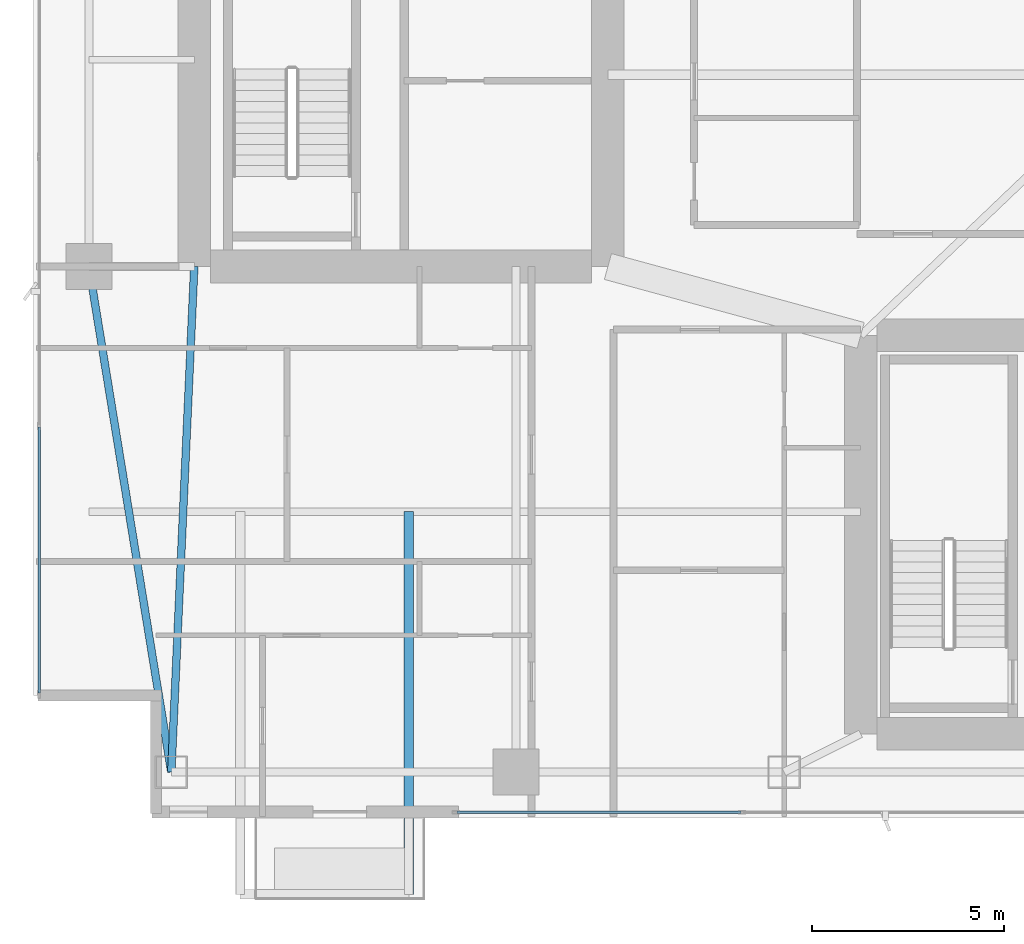
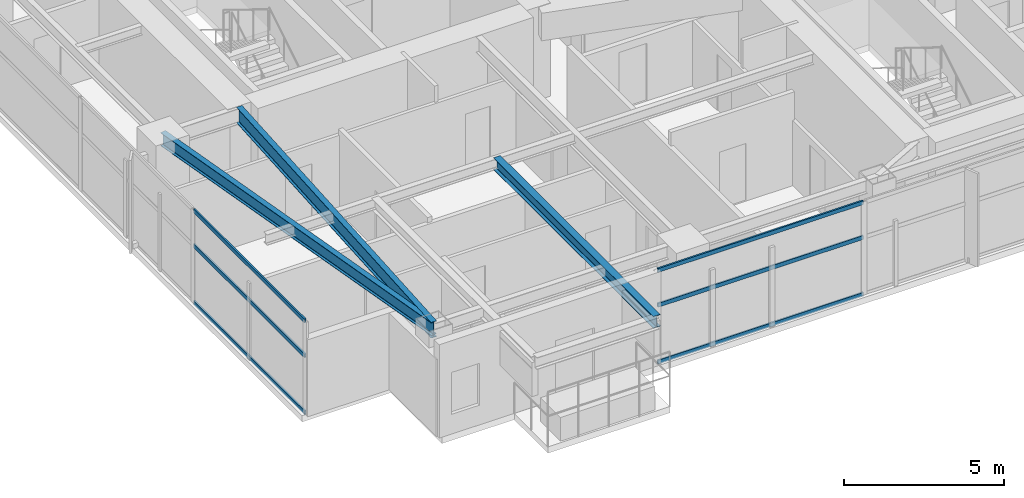
# One storey, part 3 of 28: 6 members, 3 beams, 2 elements without a shape of their own.
"""IFC4 building model written with IfcOpenShell, lengths in metres."""

from ifc_helpers import new_model, si_unit, direction, frame, origin, origin_2d, place, context, subcontext, project, spatial, hollow_rectangle, i_section, extrude, material, layer, layer_set, material_profile, profile_set, type_object, element, aggregate, save


model = new_model("IFC4")

# Units and contexts
model_context = context("Model", 3, precision=1e-05, world=origin(), true_north=direction((0.0, 1.0)))
body_context = subcontext(model_context, "Body", "Model", "MODEL_VIEW")
ifc_project = project(units=[si_unit("LENGTHUNIT", "METRE"), si_unit("AREAUNIT", "SQUARE_METRE"), si_unit("VOLUMEUNIT", "CUBIC_METRE"), si_unit("PLANEANGLEUNIT", "RADIAN"), si_unit("MASSUNIT", "GRAM", prefix="KILO")], contexts=[model_context])

# Site, building, storey
site_placement = place(None, origin())
site = spatial("IfcSite", under=ifc_project, at=site_placement, CompositionType="ELEMENT")
building_placement = place(site_placement, origin())
building = spatial("IfcBuilding", under=site, at=building_placement, Name="Calvorn Quay Hotel", CompositionType="ELEMENT")
storey_placement = place(building_placement, frame((0.0, 0.0, 156.10009765625)))
storey = spatial("IfcBuildingStorey", under=building, at=storey_placement, Name="L38", CompositionType="ELEMENT", Elevation=156.10009765625)

# Beams
ifc_material_1 = material(Name="Steel Q355B", Category="steel")
ifc_material_profile_1 = material_profile(ifc_material_1, i_section(OverallWidth=0.25, OverallDepth=0.449951171875, WebThickness=0.011962890625, FlangeThickness=0.01611328125, FilletRadius=0.01611328125, at=origin_2d()), Name="HN450x250x12x16")
ifc_profile_set_1 = profile_set([ifc_material_profile_1], Name="Steel Q355B")
beam_type_1 = type_object("IfcBeamType", Name="BM-CANT-BALC", PredefinedType="BEAM", material=ifc_profile_set_1)
beam_1_placement = place(storey_placement, frame((9.800048828125, 10.39990234375, 3.31494140625), z_axis=(0.0, -1.0, 0.0), x_axis=(1.0, 0.0, 0.0)))
element("IfcBeam", 1, at=beam_1_placement, inside=storey, type_object=beam_type_1, Name="Cantilever Balcony Beam BCB-L39-2B", PredefinedType="BEAM", context=body_context, shape_type="SweptSolid", body=[
    extrude(i_section(OverallWidth=0.25, OverallDepth=0.449951171875, WebThickness=0.011962890625, FlangeThickness=0.01611328125, FilletRadius=0.01611328125, at=origin_2d()), origin(), (0.0, 0.0, 1.0), 9.989990234375),
])
ifc_material_2 = material(Name="Steel Q355B", Category="steel")
ifc_material_profile_2 = material_profile(ifc_material_2, i_section(OverallWidth=0.199951171875, OverallDepth=0.60009765625, WebThickness=0.010986328125, FlangeThickness=0.01708984375, FilletRadius=0.01806640625, at=origin_2d()), Name="HN600x200x11x17")
ifc_profile_set_2 = profile_set([ifc_material_profile_2], Name="Steel Q355B")
beam_type_2 = type_object("IfcBeamType", Name="BM-GIRD-TYP", PredefinedType="BEAM", material=ifc_profile_set_2)
beam_2_placement = place(storey_placement, frame((3.60009765625, 3.60009765625, 3.239990234375), z_axis=(0.045396765494, 0.998969035397, 0.0), x_axis=(-0.998969035397, 0.045396765494, 0.0)))
element("IfcBeam", 2, at=beam_2_placement, inside=storey, type_object=beam_type_2, Name="Beam BG-L38-W0", PredefinedType="BEAM", context=body_context, shape_type="SweptSolid", body=[
    extrude(i_section(OverallWidth=0.199951171875, OverallDepth=0.60009765625, WebThickness=0.010986328125, FlangeThickness=0.01708984375, FilletRadius=0.01806640625, at=origin_2d()), origin(), (0.0, 0.0, 1.0), 13.213623046875),
])
ifc_material_3 = material(Name="Steel Q355B", Category="steel")
ifc_material_profile_3 = material_profile(ifc_material_3, i_section(OverallWidth=0.199951171875, OverallDepth=0.5, WebThickness=0.010009765625, FlangeThickness=0.01611328125, FilletRadius=0.01611328125, at=origin_2d()), Name="HN500x200x10x16")
ifc_profile_set_3 = profile_set([ifc_material_profile_3], Name="Steel Q355B")
beam_type_3 = type_object("IfcBeamType", Name="BM-SPANDREL-Z1", PredefinedType="SPANDREL", material=ifc_profile_set_3)
beam_3_placement = place(storey_placement, frame((3.60009765625, 3.60009765625, 3.289794921875), z_axis=(-0.16077155054, 0.986991645627, 0.0), x_axis=(-0.986991645627, -0.16077155054, 0.0)))
element("IfcBeam", 3, at=beam_3_placement, inside=storey, type_object=beam_type_3, Name="Beam BSP-L38-W1", PredefinedType="SPANDREL", context=body_context, shape_type="SweptSolid", body=[
    extrude(i_section(OverallWidth=0.199951171875, OverallDepth=0.5, WebThickness=0.010009765625, FlangeThickness=0.01611328125, FilletRadius=0.01611328125, at=origin_2d()), origin(), (0.0, 0.0, 1.0), 13.3740234375),
])

# Curtain wall, members
ifc_material_4 = material(Name="Pale Anodised Aluminium and Low-E Glass", Category="aluminium")
ifc_layer = layer(ifc_material_4, 0.219970703125)
ifc_layer_set = layer_set([ifc_layer], Name="CW-SYS-Z2")
curtain_wall_type = type_object("IfcCurtainWallType", Name="CW-SYS-Z2", PredefinedType="NOTDEFINED", material=ifc_layer_set)
curtain_wall_1_placement = place(storey_placement, origin())
curtain_wall_1 = element("IfcCurtainWall", 4, at=curtain_wall_1_placement, inside=storey, type_object=curtain_wall_type, Name="Tower West Curtain Wall (L38)", PredefinedType="NOTDEFINED")
ifc_material_5 = material(Name="Pale Anodised Aluminium 6063-T6", Category="aluminium")
ifc_material_profile_4 = material_profile(ifc_material_5, hollow_rectangle(XDim=0.06005859375, YDim=0.14990234375, WallThickness=0.00341796875, at=origin_2d()), Name="ALU-T150x60x3.5")
ifc_profile_set_4 = profile_set([ifc_material_profile_4], Name="Pale Anodised Aluminium 6063-T6")
member_type = type_object("IfcMemberType", Name="CW-SYS-Z2-TRN", PredefinedType="USERDEFINED", material=ifc_profile_set_4)
member_1_placement = place(storey_placement, frame((0.14990234375, 5.659912109375, 0.02978515625), z_axis=(0.0, 1.0, 0.0), x_axis=(-1.0, 0.0, 0.0)))
member_1 = element("IfcMember", 5, at=member_1_placement, type_object=member_type, Name="CW-L38-W transom 1.1", ObjectType="TRANSOM", PredefinedType="USERDEFINED", context=body_context, shape_type="SweptSolid", body=[
    extrude(hollow_rectangle(XDim=0.06005859375, YDim=0.14990234375, WallThickness=0.00341796875, at=origin_2d()), origin(), (0.0, 0.0, 1.0), 6.943359375),
])
member_2_placement = place(storey_placement, frame((0.14990234375, 5.659912109375, 2.199951171875), z_axis=(0.0, 1.0, 0.0), x_axis=(-1.0, 0.0, 0.0)))
member_2 = element("IfcMember", 6, at=member_2_placement, type_object=member_type, Name="CW-L38-W transom 1.2", ObjectType="TRANSOM", PredefinedType="USERDEFINED", context=body_context, shape_type="SweptSolid", body=[
    extrude(hollow_rectangle(XDim=0.06005859375, YDim=0.14990234375, WallThickness=0.00341796875, at=origin_2d()), origin(), (0.0, 0.0, 1.0), 6.943359375),
])
member_3_placement = place(storey_placement, frame((0.14990234375, 5.659912109375, 3.52978515625), z_axis=(0.0, 1.0, 0.0), x_axis=(-1.0, 0.0, 0.0)))
member_3 = element("IfcMember", 7, at=member_3_placement, type_object=member_type, Name="CW-L38-W transom 1.3", ObjectType="TRANSOM", PredefinedType="USERDEFINED", context=body_context, shape_type="SweptSolid", body=[
    extrude(hollow_rectangle(XDim=0.06005859375, YDim=0.14990234375, WallThickness=0.00341796875, at=origin_2d()), origin(), (0.0, 0.0, 1.0), 6.943359375),
])
aggregate(curtain_wall_1, [member_1, member_2, member_3])

curtain_wall_2_placement = place(storey_placement, origin())
curtain_wall_2 = element("IfcCurtainWall", 8, at=curtain_wall_2_placement, inside=storey, type_object=curtain_wall_type, Name="Tower South Waterfront Curtain Wall (L38)", PredefinedType="NOTDEFINED")
member_4_placement = place(storey_placement, frame((11.06005859375, 2.550048828125, 0.02978515625), z_axis=(1.0, 0.0, 0.0), x_axis=(0.0, 1.0, 0.0)))
member_4 = element("IfcMember", 9, at=member_4_placement, type_object=member_type, Name="CW-L38-S transom 1.1", ObjectType="TRANSOM", PredefinedType="USERDEFINED", context=body_context, shape_type="SweptSolid", body=[
    extrude(hollow_rectangle(XDim=0.06005859375, YDim=0.14990234375, WallThickness=0.00341796875, at=origin_2d()), origin(), (0.0, 0.0, 1.0), 7.409912109375),
])
member_5_placement = place(storey_placement, frame((11.06005859375, 2.550048828125, 2.199951171875), z_axis=(1.0, 0.0, 0.0), x_axis=(0.0, 1.0, 0.0)))
member_5 = element("IfcMember", 10, at=member_5_placement, type_object=member_type, Name="CW-L38-S transom 1.2", ObjectType="TRANSOM", PredefinedType="USERDEFINED", context=body_context, shape_type="SweptSolid", body=[
    extrude(hollow_rectangle(XDim=0.06005859375, YDim=0.14990234375, WallThickness=0.00341796875, at=origin_2d()), origin(), (0.0, 0.0, 1.0), 7.409912109375),
])
member_6_placement = place(storey_placement, frame((11.06005859375, 2.550048828125, 3.52978515625), z_axis=(1.0, 0.0, 0.0), x_axis=(0.0, 1.0, 0.0)))
member_6 = element("IfcMember", 11, at=member_6_placement, type_object=member_type, Name="CW-L38-S transom 1.3", ObjectType="TRANSOM", PredefinedType="USERDEFINED", context=body_context, shape_type="SweptSolid", body=[
    extrude(hollow_rectangle(XDim=0.06005859375, YDim=0.14990234375, WallThickness=0.00341796875, at=origin_2d()), origin(), (0.0, 0.0, 1.0), 7.409912109375),
])
aggregate(curtain_wall_2, [member_4, member_5, member_6])

save(model, "model.ifc")
